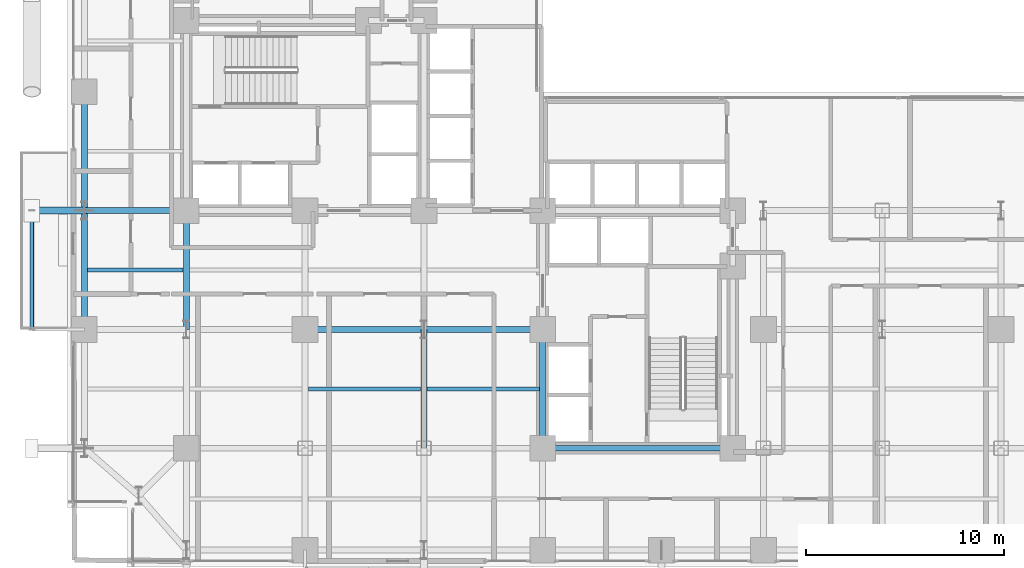
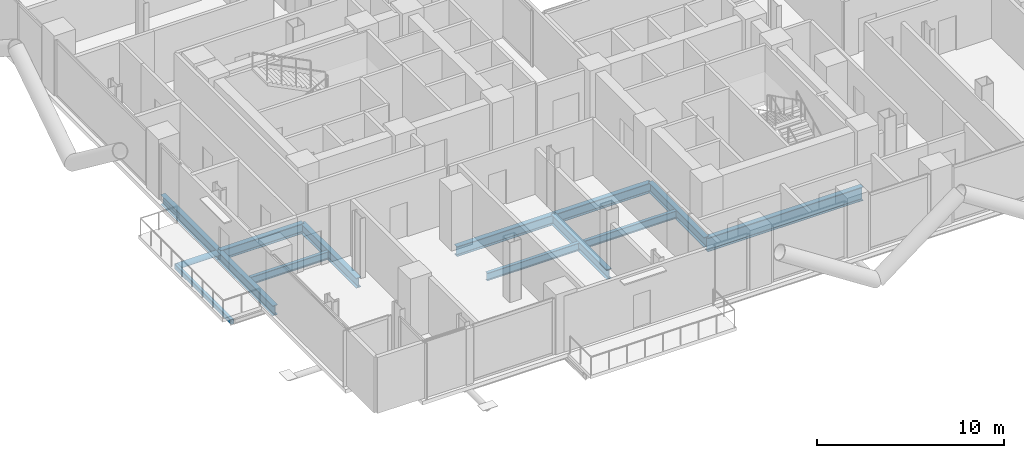
# One storey, part 4 of 25: 13 beams, 1 member.
"""IFC4 building model written with IfcOpenShell, lengths in metres."""

from ifc_helpers import new_model, si_unit, direction, frame, origin, origin_2d, place, context, subcontext, project, spatial, hollow_rectangle, hollow_circle, i_section, extrude, material, material_profile, profile_set, type_object, element, save


model = new_model("IFC4")

# Units and contexts
model_context = context("Model", 3, precision=1e-05, world=origin(), true_north=direction((0.0, 1.0)))
body_context = subcontext(model_context, "Body", "Model", "MODEL_VIEW")
ifc_project = project(units=[si_unit("LENGTHUNIT", "METRE"), si_unit("AREAUNIT", "SQUARE_METRE"), si_unit("VOLUMEUNIT", "CUBIC_METRE"), si_unit("PLANEANGLEUNIT", "RADIAN"), si_unit("MASSUNIT", "GRAM", prefix="KILO"), si_unit("THERMODYNAMICTEMPERATUREUNIT", "KELVIN"), si_unit("POWERUNIT", "WATT")], contexts=[model_context])

# Site, building, storey
site_placement = place(None, origin())
site = spatial("IfcSite", under=ifc_project, at=site_placement, CompositionType="ELEMENT")
building_placement = place(site_placement, origin())
building = spatial("IfcBuilding", under=site, at=building_placement, Name="Svarakhadi Broadcast Tower", CompositionType="ELEMENT")
storey_placement = place(building_placement, frame((0.0, 0.0, 79.199951171875)))
storey = spatial("IfcBuildingStorey", under=building, at=storey_placement, Name="L18", CompositionType="ELEMENT", Elevation=79.199951171875)

# Beams
ifc_material_1 = material(Name="Steel S355J2 (IS 2062 E350C)", Category="steel")
ifc_material_profile_1 = material_profile(ifc_material_1, i_section(OverallWidth=0.199951171875, OverallDepth=0.5, WebThickness=0.01025390625, FlangeThickness=0.01611328125, FilletRadius=0.02099609375, at=origin_2d()), Name="NPB 500x200x91")
ifc_profile_set_1 = profile_set([ifc_material_profile_1], Name="Steel S355J2 (IS 2062 E350C)")
beam_type_1 = type_object("IfcBeamType", Name="Beam_NPB500", PredefinedType="BEAM", material=ifc_profile_set_1)
beam_1_placement = place(storey_placement, frame((1.010009765625, 15.0, -0.5), z_axis=(1.0, 0.0, 0.0), x_axis=(0.0, 1.0, 0.0)))
element("IfcBeam", 1, at=beam_1_placement, inside=storey, type_object=beam_type_1, Name="L18 Secondary Composite Beam SB002", PredefinedType="BEAM", context=body_context, shape_type="SweptSolid", body=[
    extrude(i_section(OverallWidth=0.199951171875, OverallDepth=0.5, WebThickness=0.01025390625, FlangeThickness=0.01611328125, FilletRadius=0.02099609375, at=origin_2d()), origin(), (0.0, 0.0, 1.0), 4.830078125),
])
for number, where, z_axis, x_axis, name in (
    (2, (12.159912109375, 9.0, -0.5), (1.0, 0.0, 0.0), (0.0, 1.0, 0.0), "L18 Secondary Composite Beam SB014"),
    (3, (18.159912109375, 9.0, -0.5), (1.0, 0.0, 0.0), (0.0, 1.0, 0.0), "L18 Secondary Composite Beam SB020"),
):
    element("IfcBeam", number, at=place(storey_placement, frame(where, z_axis=z_axis, x_axis=x_axis)), inside=storey, type_object=beam_type_1, Name=name, PredefinedType="BEAM", context=body_context, shape_type="SweptSolid", body=[
        extrude(i_section(OverallWidth=0.199951171875, OverallDepth=0.5, WebThickness=0.01025390625, FlangeThickness=0.01611328125, FilletRadius=0.02099609375, at=origin_2d()), origin(), (0.0, 0.0, 1.0), 5.68017578125),
    ])

# Member
ifc_material_2 = material(Name="Steel S460ML (IS 2062 E450BR)", Category="steel")
ifc_material_profile_2 = material_profile(ifc_material_2, hollow_circle(Radius=0.177734375, WallThickness=0.02001953125, at=origin_2d()), Name="CHS 355.6x20")
ifc_profile_set_2 = profile_set([ifc_material_profile_2], Name="Steel S460ML (IS 2062 E450BR)")
member_type = type_object("IfcMemberType", Name="Exo_Radial_Strut_Z1", PredefinedType="STRUT", material=ifc_profile_set_2)
member_placement = place(storey_placement, frame((-1.800048828125, 18.0, -0.427734375), z_axis=(1.0, 0.0, 0.0), x_axis=(0.0, 1.0, 0.0)))
element("IfcMember", 4, at=member_placement, inside=storey, type_object=member_type, Name="L18 Exoskeleton Radial Tie Strut W06", PredefinedType="STRUT", context=body_context, shape_type="SweptSolid", body=[
    extrude(hollow_circle(Radius=0.177734375, WallThickness=0.02001953125, at=origin_2d()), origin(), (0.0, 0.0, 1.0), 2.650146484375),
])

# Beams
ifc_material_profile_3 = material_profile(ifc_material_1, i_section(OverallWidth=0.300048828125, OverallDepth=0.64990234375, WebThickness=0.01611328125, FlangeThickness=0.031005859375, FilletRadius=0.027099609375, at=origin_2d()), Name="WPB 650x300x225")
ifc_profile_set_3 = profile_set([ifc_material_profile_3], Name="Steel S355J2 (IS 2062 E350C)")
beam_type_2 = type_object("IfcBeamType", Name="Girder_WPB650", PredefinedType="USERDEFINED", material=ifc_profile_set_3)
for number, where, z_axis, x_axis, name in (
    (5, (12.0, 12.0, -0.574951171875), (1.0, 0.0, 0.0), (0.0, 1.0, 0.0), "L18 Primary E-W Girder G021"),
    (6, (18.0, 12.0, -0.574951171875), (1.0, 0.0, 0.0), (0.0, 1.0, 0.0), "L18 Primary E-W Girder G022"),
):
    element("IfcBeam", number, at=place(storey_placement, frame(where, z_axis=z_axis, x_axis=x_axis)), inside=storey, type_object=beam_type_2, Name=name, ObjectType="GIRDER", PredefinedType="USERDEFINED", context=body_context, shape_type="SweptSolid", body=[
        extrude(i_section(OverallWidth=0.300048828125, OverallDepth=0.64990234375, WebThickness=0.01611328125, FlangeThickness=0.031005859375, FilletRadius=0.027099609375, at=origin_2d()), origin(), (0.0, 0.0, 1.0), 6.0),
    ])
beam_2_placement = place(storey_placement, frame((0.85009765625, 18.0, -0.574951171875), z_axis=(1.0, 0.0, 0.0), x_axis=(0.0, 1.0, 0.0)))
element("IfcBeam", 7, at=beam_2_placement, inside=storey, type_object=beam_type_2, Name="L18 Primary E-W Girder G025", ObjectType="GIRDER", PredefinedType="USERDEFINED", context=body_context, shape_type="SweptSolid", body=[
    extrude(i_section(OverallWidth=0.300048828125, OverallDepth=0.64990234375, WebThickness=0.01611328125, FlangeThickness=0.031005859375, FilletRadius=0.027099609375, at=origin_2d()), origin(), (0.0, 0.0, 1.0), 5.14990234375),
])
for number, where, z_axis, x_axis, name in (
    (8, (0.85009765625, 12.0, -0.574951171875), (0.0, 1.0, 0.0), (-1.0, 0.0, 0.0), "L18 Primary N-S Girder G046"),
    (9, (0.85009765625, 18.0, -0.574951171875), (0.0, 1.0, 0.0), (-1.0, 0.0, 0.0), "L18 Primary N-S Girder G047"),
    (10, (6.0, 12.0, -0.574951171875), (0.0, 1.0, 0.0), (-1.0, 0.0, 0.0), "L18 Primary N-S Girder G053"),
    (11, (18.0, 6.0, -0.574951171875), (0.0, 1.0, 0.0), (-1.0, 0.0, 0.0), "L18 Primary N-S Girder G065"),
    (12, (24.0, 6.0, -0.574951171875), (0.0, 1.0, 0.0), (-1.0, 0.0, 0.0), "L18 Primary N-S Girder G072"),
):
    element("IfcBeam", number, at=place(storey_placement, frame(where, z_axis=z_axis, x_axis=x_axis)), inside=storey, type_object=beam_type_2, Name=name, ObjectType="GIRDER", PredefinedType="USERDEFINED", context=body_context, shape_type="SweptSolid", body=[
        extrude(i_section(OverallWidth=0.300048828125, OverallDepth=0.64990234375, WebThickness=0.01611328125, FlangeThickness=0.031005859375, FilletRadius=0.027099609375, at=origin_2d()), origin(), (0.0, 0.0, 1.0), 6.0),
    ])
ifc_material_profile_4 = material_profile(ifc_material_2, i_section(OverallWidth=0.300048828125, OverallDepth=0.89990234375, WebThickness=0.0185546875, FlangeThickness=0.034912109375, FilletRadius=0.030029296875, at=origin_2d()), Name="WPB 900x300x291")
ifc_profile_set_4 = profile_set([ifc_material_profile_4], Name="Steel S460ML (IS 2062 E450BR)")
beam_type_3 = type_object("IfcBeamType", Name="Girder_WPB900", PredefinedType="USERDEFINED", material=ifc_profile_set_4)
beam_3_placement = place(storey_placement, frame((24.0, 6.0, -0.699951171875), z_axis=(1.0, 0.0, 0.0), x_axis=(0.0, 1.0, 0.0)))
element("IfcBeam", 13, at=beam_3_placement, inside=storey, type_object=beam_type_3, Name="L18 Primary E-W Girder G015", ObjectType="GIRDER", PredefinedType="USERDEFINED", context=body_context, shape_type="SweptSolid", body=[
    extrude(i_section(OverallWidth=0.300048828125, OverallDepth=0.89990234375, WebThickness=0.0185546875, FlangeThickness=0.034912109375, FilletRadius=0.030029296875, at=origin_2d()), origin(), (0.0, 0.0, 1.0), 9.60009765625),
])
ifc_material_profile_5 = material_profile(ifc_material_2, hollow_rectangle(XDim=0.199951171875, YDim=0.300048828125, WallThickness=0.012451171875, InnerFilletRadius=0.012451171875, OuterFilletRadius=0.02490234375, at=origin_2d()), Name="RHS 300x200x12.5")
ifc_profile_set_5 = profile_set([ifc_material_profile_5], Name="Steel S460ML (IS 2062 E450BR)")
beam_type_4 = type_object("IfcBeamType", Name="Spandrel_RHS300", PredefinedType="SPANDREL", material=ifc_profile_set_5)
beam_4_placement = place(storey_placement, frame((-1.800048828125, 12.0, -0.39990234375), z_axis=(0.0, 1.0, 0.0), x_axis=(-1.0, 0.0, 0.0)))
element("IfcBeam", 14, at=beam_4_placement, inside=storey, type_object=beam_type_4, Name="L18 Balcony Outer Spandrel 2F", PredefinedType="SPANDREL", context=body_context, shape_type="SweptSolid", body=[
    extrude(hollow_rectangle(XDim=0.199951171875, YDim=0.300048828125, WallThickness=0.012451171875, InnerFilletRadius=0.012451171875, OuterFilletRadius=0.02490234375, at=origin_2d()), origin(), (0.0, 0.0, 1.0), 6.0),
])

save(model, "model.ifc")
